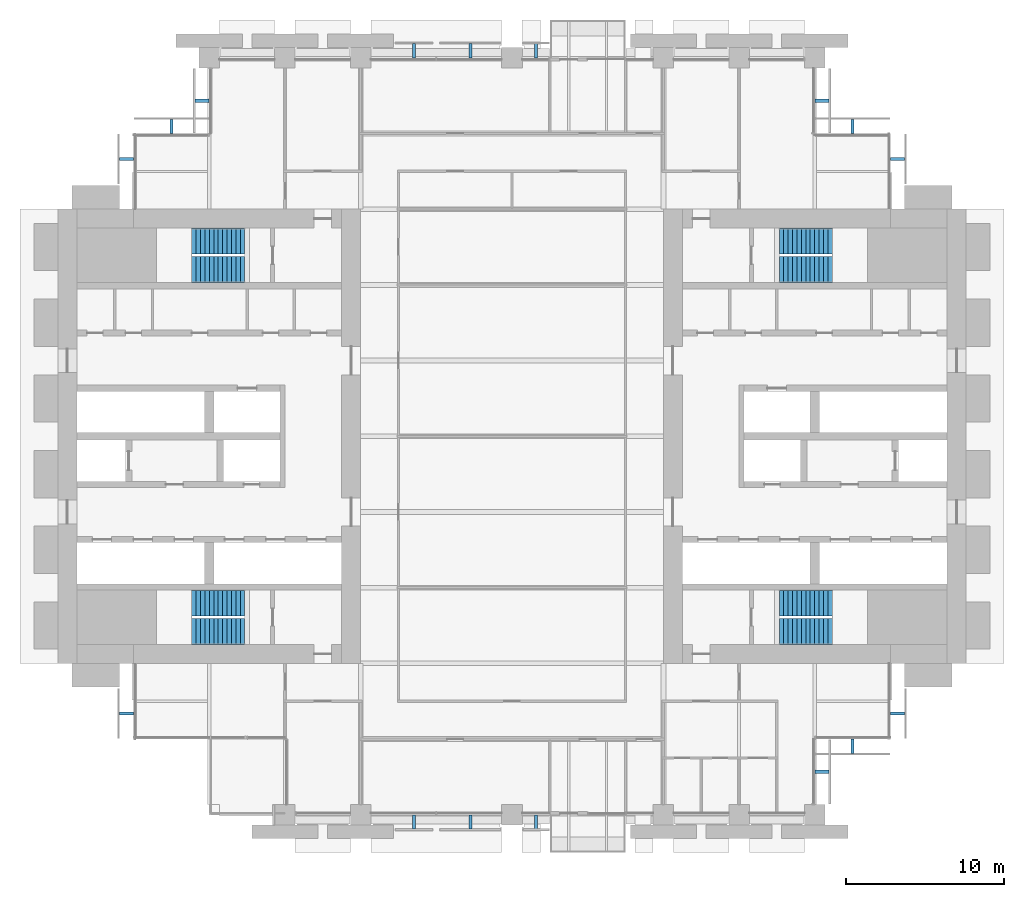
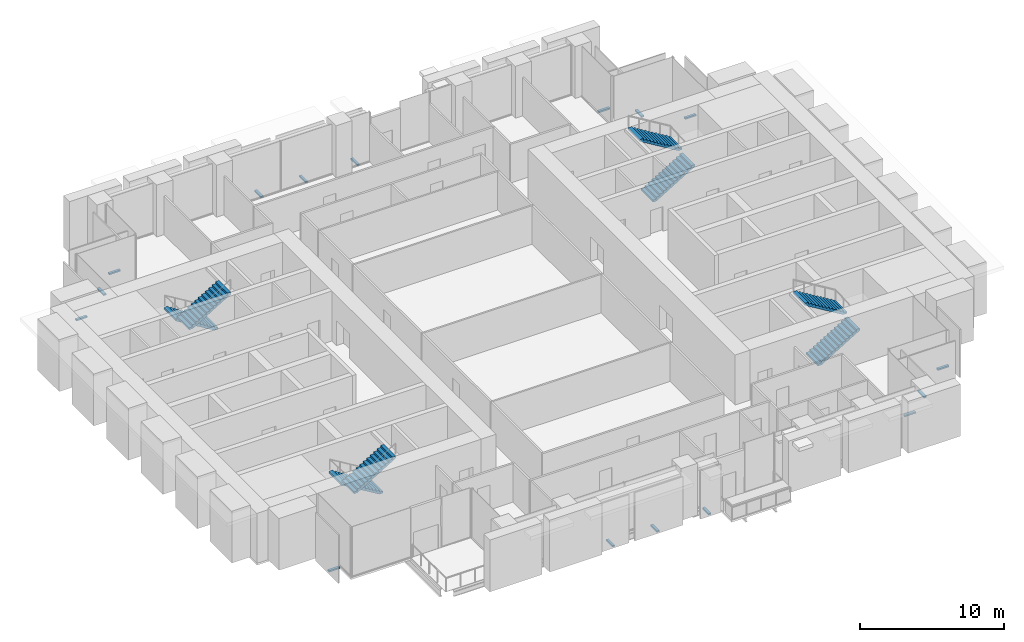
# One storey, part 13 of 15: 16 discrete accessories, 8 stair flights, 4 elements without a shape of their own.
"""IFC4 building model written with IfcOpenShell, lengths in metres."""

from ifc_helpers import new_model, si_unit, direction, frame, origin, origin_2d, place, context, subcontext, project, spatial, polyline, rectangle, outline, extrude, material, type_object, element, aggregate, save


model = new_model("IFC4")

# Units and contexts
model_context = context("Model", 3, precision=1e-05, world=origin(), true_north=direction((0.0, 1.0)))
body_context = subcontext(model_context, "Body", "Model", "MODEL_VIEW")
ifc_project = project(units=[si_unit("LENGTHUNIT", "METRE"), si_unit("AREAUNIT", "SQUARE_METRE"), si_unit("VOLUMEUNIT", "CUBIC_METRE"), si_unit("PLANEANGLEUNIT", "RADIAN"), si_unit("MASSUNIT", "GRAM", prefix="KILO")], contexts=[model_context])

# Site, building, storey
site_placement = place(None, origin())
site = spatial("IfcSite", under=ifc_project, at=site_placement, CompositionType="ELEMENT")
building_placement = place(site_placement, origin())
building = spatial("IfcBuilding", under=site, at=building_placement, Name="Baori Bourse Tower", CompositionType="ELEMENT")
storey_placement = place(building_placement, frame((0.0, 0.0, 34.60009765625)))
storey = spatial("IfcBuildingStorey", under=building, at=storey_placement, Name="L06", CompositionType="ELEMENT", Elevation=34.60009765625)

# Stair, stair flights
ifc_material_1 = material(Name="Concrete f'c 50 MPa", Category="concrete")
stair_type = type_object("IfcStairType", Name="Core stair", PredefinedType="HALF_TURN_STAIR", material=ifc_material_1)
stair_1_placement = place(storey_placement, origin())
stair_1 = element("IfcStair", 1, at=stair_1_placement, inside=storey, type_object=stair_type, Name="L06 Stair WA", PredefinedType="HALF_TURN_STAIR")
ifc_material_2 = material(Name="Concrete f'c 50 MPa", Category="concrete")
stair_flight_type = type_object("IfcStairFlightType", Name="Core stair flight", PredefinedType="STRAIGHT", material=ifc_material_2)
stair_flight_1_placement = place(storey_placement, frame((11.85009765625, 13.425048828125, 0.0), z_axis=(0.0, 0.0, 1.0), x_axis=(-1.0, 0.0, 0.0)))
stair_flight_1 = element("IfcStairFlight", 2, at=stair_flight_1_placement, type_object=stair_flight_type, Name="ST1 flight 1", NumberOfRisers=13, NumberOfTreads=12, PredefinedType="STRAIGHT", RiserHeight=0.169230769, TreadLength=0.28, context=body_context, shape_type="SweptSolid", body=[
    extrude(outline(polyline([(0.0, 0.0), (0.0, 0.169189453125), (0.280029296875, 0.169189453125), (0.280029296875, 0.33837890625), (0.56005859375, 0.33837890625), (0.56005859375, 0.5078125), (0.840087890625, 0.5078125), (0.840087890625, 0.677001953125), (1.1201171875, 0.677001953125), (1.1201171875, 0.84619140625), (1.39990234375, 0.84619140625), (1.39990234375, 1.015380859375), (1.679931640625, 1.015380859375), (1.679931640625, 1.1845703125), (1.9599609375, 1.1845703125), (1.9599609375, 1.353759765625), (2.239990234375, 1.353759765625), (2.239990234375, 1.523193359375), (2.52001953125, 1.523193359375), (2.52001953125, 1.6923828125), (2.800048828125, 1.6923828125), (2.800048828125, 1.861572265625), (3.080078125, 1.861572265625), (3.080078125, 2.03076171875), (3.360107421875, 2.03076171875), (3.360107421875, 2.199951171875), (3.360107421875, 1.855712890625), (0.289794921875, 0.0), (0.0, 0.0)])), frame((0.0, 0.824951171875, 0.0), z_axis=(0.0, -1.0, 0.0), x_axis=(1.0, 0.0, 0.0)), (0.0, 0.0, 1.0), 1.64990234375),
])
stair_flight_2_placement = place(storey_placement, frame((8.489990234375, 11.625, 2.199951171875), z_axis=(0.0, 0.0, 1.0), x_axis=(1.0, 0.0, 0.0)))
stair_flight_2 = element("IfcStairFlight", 3, at=stair_flight_2_placement, type_object=stair_flight_type, Name="ST1 flight 2", NumberOfRisers=13, NumberOfTreads=12, PredefinedType="STRAIGHT", RiserHeight=0.169230769, TreadLength=0.28, context=body_context, shape_type="SweptSolid", body=[
    extrude(outline(polyline([(0.0, 0.0), (0.0, 0.169189453125), (0.280029296875, 0.169189453125), (0.280029296875, 0.33837890625), (0.56005859375, 0.33837890625), (0.56005859375, 0.5078125), (0.840087890625, 0.5078125), (0.840087890625, 0.677001953125), (1.1201171875, 0.677001953125), (1.1201171875, 0.84619140625), (1.39990234375, 0.84619140625), (1.39990234375, 1.015380859375), (1.679931640625, 1.015380859375), (1.679931640625, 1.1845703125), (1.9599609375, 1.1845703125), (1.9599609375, 1.353759765625), (2.239990234375, 1.353759765625), (2.239990234375, 1.523193359375), (2.52001953125, 1.523193359375), (2.52001953125, 1.6923828125), (2.800048828125, 1.6923828125), (2.800048828125, 1.861572265625), (3.080078125, 1.861572265625), (3.080078125, 2.03076171875), (3.360107421875, 2.03076171875), (3.360107421875, 2.199951171875), (3.360107421875, 1.855712890625), (0.289794921875, 0.0), (0.0, 0.0)])), frame((0.0, 0.824951171875, 0.0), z_axis=(0.0, -1.0, 0.0), x_axis=(1.0, 0.0, 0.0)), (0.0, 0.0, 1.0), 1.64990234375),
])
aggregate(stair_1, [stair_flight_1, stair_flight_2])

stair_2_placement = place(storey_placement, origin())
stair_2 = element("IfcStair", 4, at=stair_2_placement, inside=storey, type_object=stair_type, Name="L06 Stair WB", PredefinedType="HALF_TURN_STAIR")
stair_flight_3_placement = place(storey_placement, frame((11.85009765625, 36.375, 0.0), z_axis=(0.0, 0.0, 1.0), x_axis=(-1.0, 0.0, 0.0)))
stair_flight_3 = element("IfcStairFlight", 5, at=stair_flight_3_placement, type_object=stair_flight_type, Name="ST2 flight 1", NumberOfRisers=13, NumberOfTreads=12, PredefinedType="STRAIGHT", RiserHeight=0.169230769, TreadLength=0.28, context=body_context, shape_type="SweptSolid", body=[
    extrude(outline(polyline([(0.0, 0.0), (0.0, 0.169189453125), (0.280029296875, 0.169189453125), (0.280029296875, 0.33837890625), (0.56005859375, 0.33837890625), (0.56005859375, 0.5078125), (0.840087890625, 0.5078125), (0.840087890625, 0.677001953125), (1.1201171875, 0.677001953125), (1.1201171875, 0.84619140625), (1.39990234375, 0.84619140625), (1.39990234375, 1.015380859375), (1.679931640625, 1.015380859375), (1.679931640625, 1.1845703125), (1.9599609375, 1.1845703125), (1.9599609375, 1.353759765625), (2.239990234375, 1.353759765625), (2.239990234375, 1.523193359375), (2.52001953125, 1.523193359375), (2.52001953125, 1.6923828125), (2.800048828125, 1.6923828125), (2.800048828125, 1.861572265625), (3.080078125, 1.861572265625), (3.080078125, 2.03076171875), (3.360107421875, 2.03076171875), (3.360107421875, 2.199951171875), (3.360107421875, 1.855712890625), (0.289794921875, 0.0), (0.0, 0.0)])), frame((0.0, 0.824951171875, 0.0), z_axis=(0.0, -1.0, 0.0), x_axis=(1.0, 0.0, 0.0)), (0.0, 0.0, 1.0), 1.64990234375),
])
stair_flight_4_placement = place(storey_placement, frame((8.489990234375, 34.574951171875, 2.199951171875), z_axis=(0.0, 0.0, 1.0), x_axis=(1.0, 0.0, 0.0)))
stair_flight_4 = element("IfcStairFlight", 6, at=stair_flight_4_placement, type_object=stair_flight_type, Name="ST2 flight 2", NumberOfRisers=13, NumberOfTreads=12, PredefinedType="STRAIGHT", RiserHeight=0.169230769, TreadLength=0.28, context=body_context, shape_type="SweptSolid", body=[
    extrude(outline(polyline([(0.0, 0.0), (0.0, 0.169189453125), (0.280029296875, 0.169189453125), (0.280029296875, 0.33837890625), (0.56005859375, 0.33837890625), (0.56005859375, 0.5078125), (0.840087890625, 0.5078125), (0.840087890625, 0.677001953125), (1.1201171875, 0.677001953125), (1.1201171875, 0.84619140625), (1.39990234375, 0.84619140625), (1.39990234375, 1.015380859375), (1.679931640625, 1.015380859375), (1.679931640625, 1.1845703125), (1.9599609375, 1.1845703125), (1.9599609375, 1.353759765625), (2.239990234375, 1.353759765625), (2.239990234375, 1.523193359375), (2.52001953125, 1.523193359375), (2.52001953125, 1.6923828125), (2.800048828125, 1.6923828125), (2.800048828125, 1.861572265625), (3.080078125, 1.861572265625), (3.080078125, 2.03076171875), (3.360107421875, 2.03076171875), (3.360107421875, 2.199951171875), (3.360107421875, 1.855712890625), (0.289794921875, 0.0), (0.0, 0.0)])), frame((0.0, 0.824951171875, 0.0), z_axis=(0.0, -1.0, 0.0), x_axis=(1.0, 0.0, 0.0)), (0.0, 0.0, 1.0), 1.64990234375),
])
aggregate(stair_2, [stair_flight_3, stair_flight_4])

stair_3_placement = place(storey_placement, origin())
stair_3 = element("IfcStair", 7, at=stair_3_placement, inside=storey, type_object=stair_type, Name="L06 Stair EA", PredefinedType="HALF_TURN_STAIR")
stair_flight_5_placement = place(storey_placement, frame((45.75, 11.625, 0.0), z_axis=(0.0, 0.0, 1.0), x_axis=(1.0, 0.0, 0.0)))
stair_flight_5 = element("IfcStairFlight", 8, at=stair_flight_5_placement, type_object=stair_flight_type, Name="ST3 flight 1", NumberOfRisers=13, NumberOfTreads=12, PredefinedType="STRAIGHT", RiserHeight=0.169230769, TreadLength=0.28, context=body_context, shape_type="SweptSolid", body=[
    extrude(outline(polyline([(0.0, 0.0), (0.0, 0.169189453125), (0.280029296875, 0.169189453125), (0.280029296875, 0.33837890625), (0.56005859375, 0.33837890625), (0.56005859375, 0.5078125), (0.840087890625, 0.5078125), (0.840087890625, 0.677001953125), (1.1201171875, 0.677001953125), (1.1201171875, 0.84619140625), (1.39990234375, 0.84619140625), (1.39990234375, 1.015380859375), (1.679931640625, 1.015380859375), (1.679931640625, 1.1845703125), (1.9599609375, 1.1845703125), (1.9599609375, 1.353759765625), (2.239990234375, 1.353759765625), (2.239990234375, 1.523193359375), (2.52001953125, 1.523193359375), (2.52001953125, 1.6923828125), (2.800048828125, 1.6923828125), (2.800048828125, 1.861572265625), (3.080078125, 1.861572265625), (3.080078125, 2.03076171875), (3.360107421875, 2.03076171875), (3.360107421875, 2.199951171875), (3.360107421875, 1.855712890625), (0.289794921875, 0.0), (0.0, 0.0)])), frame((0.0, 0.824951171875, 0.0), z_axis=(0.0, -1.0, 0.0), x_axis=(1.0, 0.0, 0.0)), (0.0, 0.0, 1.0), 1.64990234375),
])
stair_flight_6_placement = place(storey_placement, frame((49.110107421875, 13.425048828125, 2.199951171875), z_axis=(0.0, 0.0, 1.0), x_axis=(-1.0, 0.0, 0.0)))
stair_flight_6 = element("IfcStairFlight", 9, at=stair_flight_6_placement, type_object=stair_flight_type, Name="ST3 flight 2", NumberOfRisers=13, NumberOfTreads=12, PredefinedType="STRAIGHT", RiserHeight=0.169230769, TreadLength=0.28, context=body_context, shape_type="SweptSolid", body=[
    extrude(outline(polyline([(0.0, 0.0), (0.0, 0.169189453125), (0.280029296875, 0.169189453125), (0.280029296875, 0.33837890625), (0.56005859375, 0.33837890625), (0.56005859375, 0.5078125), (0.840087890625, 0.5078125), (0.840087890625, 0.677001953125), (1.1201171875, 0.677001953125), (1.1201171875, 0.84619140625), (1.39990234375, 0.84619140625), (1.39990234375, 1.015380859375), (1.679931640625, 1.015380859375), (1.679931640625, 1.1845703125), (1.9599609375, 1.1845703125), (1.9599609375, 1.353759765625), (2.239990234375, 1.353759765625), (2.239990234375, 1.523193359375), (2.52001953125, 1.523193359375), (2.52001953125, 1.6923828125), (2.800048828125, 1.6923828125), (2.800048828125, 1.861572265625), (3.080078125, 1.861572265625), (3.080078125, 2.03076171875), (3.360107421875, 2.03076171875), (3.360107421875, 2.199951171875), (3.360107421875, 1.855712890625), (0.289794921875, 0.0), (0.0, 0.0)])), frame((0.0, 0.824951171875, 0.0), z_axis=(0.0, -1.0, 0.0), x_axis=(1.0, 0.0, 0.0)), (0.0, 0.0, 1.0), 1.64990234375),
])
aggregate(stair_3, [stair_flight_5, stair_flight_6])

stair_4_placement = place(storey_placement, origin())
stair_4 = element("IfcStair", 10, at=stair_4_placement, inside=storey, type_object=stair_type, Name="L06 Stair EB", PredefinedType="HALF_TURN_STAIR")
stair_flight_7_placement = place(storey_placement, frame((45.75, 34.574951171875, 0.0), z_axis=(0.0, 0.0, 1.0), x_axis=(1.0, 0.0, 0.0)))
stair_flight_7 = element("IfcStairFlight", 11, at=stair_flight_7_placement, type_object=stair_flight_type, Name="ST4 flight 1", NumberOfRisers=13, NumberOfTreads=12, PredefinedType="STRAIGHT", RiserHeight=0.169230769, TreadLength=0.28, context=body_context, shape_type="SweptSolid", body=[
    extrude(outline(polyline([(0.0, 0.0), (0.0, 0.169189453125), (0.280029296875, 0.169189453125), (0.280029296875, 0.33837890625), (0.56005859375, 0.33837890625), (0.56005859375, 0.5078125), (0.840087890625, 0.5078125), (0.840087890625, 0.677001953125), (1.1201171875, 0.677001953125), (1.1201171875, 0.84619140625), (1.39990234375, 0.84619140625), (1.39990234375, 1.015380859375), (1.679931640625, 1.015380859375), (1.679931640625, 1.1845703125), (1.9599609375, 1.1845703125), (1.9599609375, 1.353759765625), (2.239990234375, 1.353759765625), (2.239990234375, 1.523193359375), (2.52001953125, 1.523193359375), (2.52001953125, 1.6923828125), (2.800048828125, 1.6923828125), (2.800048828125, 1.861572265625), (3.080078125, 1.861572265625), (3.080078125, 2.03076171875), (3.360107421875, 2.03076171875), (3.360107421875, 2.199951171875), (3.360107421875, 1.855712890625), (0.289794921875, 0.0), (0.0, 0.0)])), frame((0.0, 0.824951171875, 0.0), z_axis=(0.0, -1.0, 0.0), x_axis=(1.0, 0.0, 0.0)), (0.0, 0.0, 1.0), 1.64990234375),
])
stair_flight_8_placement = place(storey_placement, frame((49.110107421875, 36.375, 2.199951171875), z_axis=(0.0, 0.0, 1.0), x_axis=(-1.0, 0.0, 0.0)))
stair_flight_8 = element("IfcStairFlight", 12, at=stair_flight_8_placement, type_object=stair_flight_type, Name="ST4 flight 2", NumberOfRisers=13, NumberOfTreads=12, PredefinedType="STRAIGHT", RiserHeight=0.169230769, TreadLength=0.28, context=body_context, shape_type="SweptSolid", body=[
    extrude(outline(polyline([(0.0, 0.0), (0.0, 0.169189453125), (0.280029296875, 0.169189453125), (0.280029296875, 0.33837890625), (0.56005859375, 0.33837890625), (0.56005859375, 0.5078125), (0.840087890625, 0.5078125), (0.840087890625, 0.677001953125), (1.1201171875, 0.677001953125), (1.1201171875, 0.84619140625), (1.39990234375, 0.84619140625), (1.39990234375, 1.015380859375), (1.679931640625, 1.015380859375), (1.679931640625, 1.1845703125), (1.9599609375, 1.1845703125), (1.9599609375, 1.353759765625), (2.239990234375, 1.353759765625), (2.239990234375, 1.523193359375), (2.52001953125, 1.523193359375), (2.52001953125, 1.6923828125), (2.800048828125, 1.6923828125), (2.800048828125, 1.861572265625), (3.080078125, 1.861572265625), (3.080078125, 2.03076171875), (3.360107421875, 2.03076171875), (3.360107421875, 2.199951171875), (3.360107421875, 1.855712890625), (0.289794921875, 0.0), (0.0, 0.0)])), frame((0.0, 0.824951171875, 0.0), z_axis=(0.0, -1.0, 0.0), x_axis=(1.0, 0.0, 0.0)), (0.0, 0.0, 1.0), 1.64990234375),
])
aggregate(stair_4, [stair_flight_7, stair_flight_8])

# Discrete accessories
ifc_material_3 = material(Name="Pale anodised aluminium", Category="aluminium")
discrete_accessory_type = type_object("IfcDiscreteAccessoryType", Name="OS2 Outer skin bracket", PredefinedType="BRACKET", material=ifc_material_3)
for number, where, z_axis, x_axis, name in (
    (13, (53.25, 41.574951171875, -0.14404296875), (0.0, 0.0, 1.0), (0.0, 1.0, 0.0), "Outer skin bracket L06 1"),
    (14, (50.39990234375, 43.64990234375, -0.14404296875), (0.0, 0.0, 1.0), (-1.0, 0.0, 0.0), "Outer skin bracket L06 2"),
    (15, (48.449951171875, 45.27490234375, -0.14404296875), (0.0, 0.0, 1.0), (0.0, 1.0, 0.0), "Outer skin bracket L06 3"),
    (16, (30.324951171875, 48.449951171875, -0.14404296875), (0.0, 0.0, 1.0), (-1.0, 0.0, 0.0), "Outer skin bracket L06 4"),
    (17, (26.16259765625, 48.449951171875, -0.14404296875), (0.0, 0.0, 1.0), (-1.0, 0.0, 0.0), "Outer skin bracket L06 5"),
    (18, (22.58740234375, 48.449951171875, -0.14404296875), (0.0, 0.0, 1.0), (-1.0, 0.0, 0.0), "Outer skin bracket L06 6"),
    (19, (9.14990234375, 45.27490234375, -0.14404296875), (0.0, 0.0, 1.0), (0.0, -1.0, 0.0), "Outer skin bracket L06 7"),
    (20, (7.199951171875, 43.64990234375, -0.14404296875), (0.0, 0.0, 1.0), (-1.0, 0.0, 0.0), "Outer skin bracket L06 8"),
    (21, (4.35009765625, 41.574951171875, -0.14404296875), (0.0, 0.0, 1.0), (0.0, -1.0, 0.0), "Outer skin bracket L06 9"),
    (22, (4.35009765625, 6.425048828125, -0.14404296875), (0.0, 0.0, 1.0), (0.0, -1.0, 0.0), "Outer skin bracket L06 10"),
    (23, (22.58740234375, -0.449951171875, -0.14404296875), (0.0, 0.0, 1.0), (1.0, 0.0, 0.0), "Outer skin bracket L06 11"),
    (24, (26.16259765625, -0.449951171875, -0.14404296875), (0.0, 0.0, 1.0), (1.0, 0.0, 0.0), "Outer skin bracket L06 12"),
    (25, (30.324951171875, -0.449951171875, -0.14404296875), (0.0, 0.0, 1.0), (1.0, 0.0, 0.0), "Outer skin bracket L06 13"),
    (26, (48.449951171875, 2.72509765625, -0.14404296875), (0.0, 0.0, 1.0), (0.0, 1.0, 0.0), "Outer skin bracket L06 14"),
    (27, (50.39990234375, 4.35009765625, -0.14404296875), (0.0, 0.0, 1.0), (1.0, 0.0, 0.0), "Outer skin bracket L06 15"),
    (28, (53.25, 6.425048828125, -0.14404296875), (0.0, 0.0, 1.0), (0.0, 1.0, 0.0), "Outer skin bracket L06 16"),
):
    element("IfcDiscreteAccessory", number, at=place(storey_placement, frame(where, z_axis=z_axis, x_axis=x_axis)), inside=storey, type_object=discrete_accessory_type, Name=name, PredefinedType="BRACKET", context=body_context, shape_type="SweptSolid", body=[
        extrude(rectangle(XDim=0.199951171875, YDim=0.89990234375, at=origin_2d()), origin(), (0.0, 0.0, 1.0), 0.1279296875),
    ])

save(model, "model.ifc")
